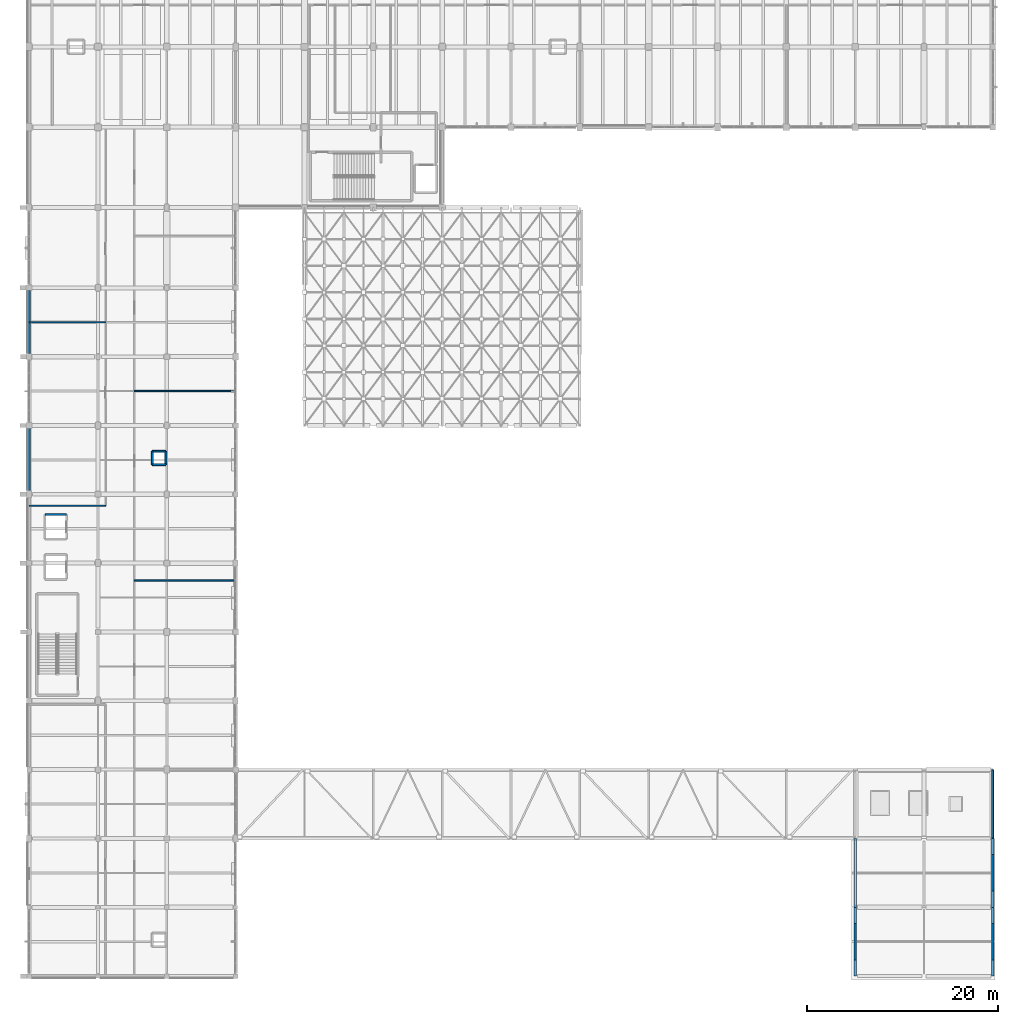
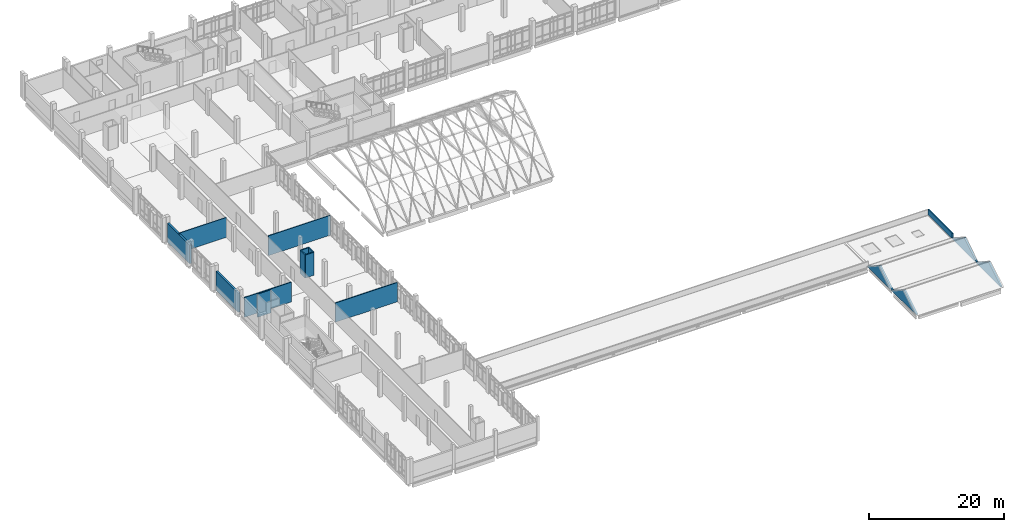
# One storey, part 74 of 87: 16 walls.
"""IFC4 building model written with IfcOpenShell, lengths in metres."""

from ifc_helpers import new_model, si_unit, direction, frame, frame_2d, origin, place, context, subcontext, project, spatial, polyline, rectangle, outline, extrude, material, layer, layer_set, type_object, element, save


model = new_model("IFC4")

# Units and contexts
model_context = context("Model", 3, precision=1e-05, world=origin(), true_north=direction((0.0, 1.0)))
body_context = subcontext(model_context, "Body", "Model", "MODEL_VIEW")
ifc_project = project(units=[si_unit("LENGTHUNIT", "METRE"), si_unit("AREAUNIT", "SQUARE_METRE"), si_unit("VOLUMEUNIT", "CUBIC_METRE"), si_unit("PLANEANGLEUNIT", "RADIAN"), si_unit("MASSUNIT", "GRAM", prefix="KILO")], contexts=[model_context])

# Site, building, storey
site_placement = place(None, origin())
site = spatial("IfcSite", under=ifc_project, at=site_placement, CompositionType="ELEMENT")
building_placement = place(site_placement, origin())
building = spatial("IfcBuilding", under=site, at=building_placement, Name="Kalluvel Institute of Natural Sciences", CompositionType="ELEMENT")
storey_placement = place(building_placement, frame((0.0, 0.0, 18.89990234375)))
storey = spatial("IfcBuildingStorey", under=building, at=storey_placement, Name="L04", CompositionType="ELEMENT", Elevation=18.89990234375)

# Walls
ifc_material_1 = material(Name="Sadarahalli Grey Granite Ashlar Concrete M40", Category="masonry")
ifc_layer_1 = layer(ifc_material_1, 0.300048828125)
ifc_layer_set_1 = layer_set([ifc_layer_1], Name="Sadarahalli Grey Granite Ashlar Concrete M40")
wall_type_1 = type_object("IfcWallType", Name="WL-EXT-300", PredefinedType="SOLIDWALL", material=ifc_layer_set_1)
wall_1_placement = place(storey_placement, frame((14.0, 64.7548828125, 0.0), z_axis=(0.0, 0.0, 1.0), x_axis=(0.0, 1.0, 0.0)))
element("IfcWall", 1, at=wall_1_placement, inside=storey, type_object=wall_type_1, Name="L04 Sadarahalli granite exterior wall WL-EXT-L04-0185", PredefinedType="SOLIDWALL", context=body_context, shape_type="SweptSolid", body=[
    extrude(rectangle(XDim=6.565185546875, YDim=0.300048828125, at=frame_2d((3.28271484375, 0.0))), origin(), (0.0, 0.0, 1.0), 3.425048828125),
])
wall_2_placement = place(storey_placement, frame((14.0, 79.1298828125, 0.0), z_axis=(0.0, 0.0, 1.0), x_axis=(0.0, 1.0, 0.0)))
element("IfcWall", 2, at=wall_2_placement, inside=storey, type_object=wall_type_1, Name="L04 Sadarahalli granite exterior wall WL-EXT-L04-0186", PredefinedType="SOLIDWALL", context=body_context, shape_type="SweptSolid", body=[
    extrude(rectangle(XDim=6.590087890625, YDim=0.300048828125, at=frame_2d((3.294921875, 0.0))), origin(), (0.0, 0.0, 1.0), 3.375),
])
ifc_layer_2 = layer(ifc_material_1, 0.280029296875)
ifc_layer_set_2 = layer_set([ifc_layer_2], Name="Sadarahalli Grey Granite Ashlar Concrete M40")
wall_type_2 = type_object("IfcWallType", Name="WL-GABLE-280", PredefinedType="SOLIDWALL", material=ifc_layer_set_2)
for number, where, z_axis, x_axis, name in (
    (3, (100.39990234375, 14.0, 0.0), (0.0, 0.0, 1.0), (0.0, 1.0, 0.0), "L04 East Commons West Gothic gable wall"),
    (4, (100.39990234375, 21.199951171875, 0.0), (0.0, 0.0, 1.0), (0.0, 1.0, 0.0), "L04 East Commons West Gothic gable wall"),
    (5, (114.800048828125, 14.0, 0.0), (0.0, 0.0, 1.0), (0.0, 1.0, 0.0), "L04 East Commons East Gothic gable wall"),
    (6, (114.800048828125, 21.199951171875, 0.0), (0.0, 0.0, 1.0), (0.0, 1.0, 0.0), "L04 East Commons East Gothic gable wall"),
):
    element("IfcWall", number, at=place(storey_placement, frame(where, z_axis=z_axis, x_axis=x_axis)), inside=storey, type_object=wall_type_2, Name=name, PredefinedType="SOLIDWALL", context=body_context, shape_type="SweptSolid", body=[
        extrude(outline(polyline([(0.0, 0.0), (7.199951171875, 0.0), (7.199951171875, 0.150146484375), (3.60009765625, 2.380126953125), (0.0, 0.150146484375), (0.0, 0.0)])), frame((0.0, 0.14013671875, 0.0), z_axis=(0.0, -1.0, 0.0), x_axis=(1.0, 0.0, 0.0)), (0.0, 0.0, 1.0), 0.280029296875),
    ])
ifc_layer_3 = layer(ifc_material_1, 0.199951171875)
ifc_layer_set_3 = layer_set([ifc_layer_3], Name="Sadarahalli Grey Granite Ashlar Concrete M40")
wall_type_3 = type_object("IfcWallType", Name="WL-PAR-200", PredefinedType="PARAPET", material=ifc_layer_set_3)
wall_3_placement = place(storey_placement, frame((114.800048828125, 35.60009765625, 0.0), z_axis=(0.0, 0.0, 1.0), x_axis=(0.0, -1.0, 0.0)))
element("IfcWall", 7, at=wall_3_placement, inside=storey, type_object=wall_type_3, Name="L04 maintenance roof stone parapet 23", PredefinedType="PARAPET", context=body_context, shape_type="SweptSolid", body=[
    extrude(rectangle(XDim=7.2001953125, YDim=0.199951171875, at=frame_2d((3.60009765625, 0.0))), origin(), (0.0, 0.0, 1.0), 0.9501953125),
])
ifc_material_2 = material(Name="Acoustic Gypsum Twin-Stud Partition", Category="gypsum")
ifc_layer_4 = layer(ifc_material_2, 0.1201171875)
ifc_layer_set_4 = layer_set([ifc_layer_4], Name="Acoustic Gypsum Twin-Stud Partition")
wall_type_4 = type_object("IfcWallType", Name="WL-PART-120", PredefinedType="PARTITIONING", material=ifc_layer_set_4)
wall_4_placement = place(storey_placement, frame((25.0, 75.199951171875, 0.0), z_axis=(0.0, 0.0, 1.0), x_axis=(1.0, 0.0, 0.0)))
element("IfcWall", 8, at=wall_4_placement, inside=storey, type_object=wall_type_4, Name="L04 interior partition wall WL-INT-L04-0233", PredefinedType="PARTITIONING", context=body_context, shape_type="SweptSolid", body=[
    extrude(rectangle(XDim=10.60009765625, YDim=0.1201171875, at=frame_2d((5.300048828125, 0.0))), origin(), (0.0, 0.0, 1.0), 3.580078125),
])
wall_5_placement = place(storey_placement, frame((14.0, 82.39990234375, 0.0), z_axis=(0.0, 0.0, 1.0), x_axis=(1.0, 0.0, 0.0)))
element("IfcWall", 9, at=wall_5_placement, inside=storey, type_object=wall_type_4, Name="L04 interior partition wall WL-INT-L04-0239", PredefinedType="PARTITIONING", context=body_context, shape_type="SweptSolid", body=[
    extrude(rectangle(XDim=8.0, YDim=0.1201171875, at=frame_2d((4.0, 0.0))), origin(), (0.0, 0.0, 1.0), 3.580078125),
])
ifc_layer_5 = layer(ifc_material_2, 0.139892578125)
ifc_layer_set_5 = layer_set([ifc_layer_5], Name="Acoustic Gypsum Twin-Stud Partition")
wall_type_5 = type_object("IfcWallType", Name="WL-PART-140", PredefinedType="PARTITIONING", material=ifc_layer_set_5)
wall_6_placement = place(storey_placement, frame((25.0, 55.39990234375, 0.0), z_axis=(0.0, 0.0, 1.0), x_axis=(1.0, 0.0, 0.0)))
element("IfcWall", 10, at=wall_6_placement, inside=storey, type_object=wall_type_5, Name="L04 interior partition wall WL-INT-L04-0232", PredefinedType="PARTITIONING", context=body_context, shape_type="SweptSolid", body=[
    extrude(rectangle(XDim=10.60009765625, YDim=0.139892578125, at=frame_2d((5.300048828125, 0.0))), origin(), (0.0, 0.0, 1.0), 3.47998046875),
])
wall_7_placement = place(storey_placement, frame((14.0, 63.199951171875, 0.0), z_axis=(0.0, 0.0, 1.0), x_axis=(1.0, 0.0, 0.0)))
element("IfcWall", 11, at=wall_7_placement, inside=storey, type_object=wall_type_5, Name="L04 interior partition wall WL-INT-L04-0238", PredefinedType="PARTITIONING", context=body_context, shape_type="SweptSolid", body=[
    extrude(rectangle(XDim=8.0, YDim=0.139892578125, at=frame_2d((4.0, 0.0))), origin(), (0.0, 0.0, 1.0), 3.580078125),
])
ifc_material_3 = material(Name="Concrete M40", Category="concrete")
ifc_layer_6 = layer(ifc_material_3, 0.199951171875)
ifc_layer_set_6 = layer_set([ifc_layer_6], Name="Concrete M40")
wall_type_6 = type_object("IfcWallType", Name="WL-RISER-200", PredefinedType="SHEAR", material=ifc_layer_set_6)
wall_8_placement = place(storey_placement, frame((26.89990234375, 67.5, 0.0), z_axis=(0.0, 0.0, 1.0), x_axis=(1.0, 0.0, 0.0)))
element("IfcWall", 12, at=wall_8_placement, inside=storey, type_object=wall_type_6, Name="RS-DRY-N L04 service riser enclosure S", PredefinedType="SHEAR", context=body_context, shape_type="SweptSolid", body=[
    extrude(rectangle(XDim=1.400146484375, YDim=0.199951171875, at=frame_2d((0.7001953125, 0.0))), origin(), (0.0, 0.0, 1.0), 4.16015625),
])
wall_9_placement = place(storey_placement, frame((28.300048828125, 67.5, 0.0), z_axis=(0.0, 0.0, 1.0), x_axis=(0.0, 1.0, 0.0)))
element("IfcWall", 13, at=wall_9_placement, inside=storey, type_object=wall_type_6, Name="RS-DRY-N L04 service riser enclosure E", PredefinedType="SHEAR", context=body_context, shape_type="SweptSolid", body=[
    extrude(rectangle(XDim=1.39990234375, YDim=0.199951171875, at=frame_2d((0.699951171875, 0.0))), origin(), (0.0, 0.0, 1.0), 4.16015625),
])
wall_10_placement = place(storey_placement, frame((28.300048828125, 68.89990234375, 0.0), z_axis=(0.0, 0.0, 1.0), x_axis=(-1.0, 0.0, 0.0)))
element("IfcWall", 14, at=wall_10_placement, inside=storey, type_object=wall_type_6, Name="RS-DRY-N L04 service riser enclosure N", PredefinedType="SHEAR", context=body_context, shape_type="SweptSolid", body=[
    extrude(rectangle(XDim=1.400146484375, YDim=0.199951171875, at=frame_2d((0.7001953125, 0.0))), origin(), (0.0, 0.0, 1.0), 4.16015625),
])
wall_11_placement = place(storey_placement, frame((26.89990234375, 68.89990234375, 0.0), z_axis=(0.0, 0.0, 1.0), x_axis=(0.0, -1.0, 0.0)))
element("IfcWall", 15, at=wall_11_placement, inside=storey, type_object=wall_type_6, Name="RS-DRY-N L04 service riser enclosure W", PredefinedType="SHEAR", context=body_context, shape_type="SweptSolid", body=[
    extrude(rectangle(XDim=1.39990234375, YDim=0.199951171875, at=frame_2d((0.699951171875, 0.0))), origin(), (0.0, 0.0, 1.0), 4.16015625),
])
ifc_layer_7 = layer(ifc_material_3, 0.219970703125)
ifc_layer_set_7 = layer_set([ifc_layer_7], Name="Concrete M40")
wall_type_7 = type_object("IfcWallType", Name="WL-SHAFT-220", PredefinedType="SHEAR", material=ifc_layer_set_7)
wall_12_placement = place(storey_placement, frame((17.929931640625, 62.280029296875, 0.0), z_axis=(0.0, 0.0, 1.0), x_axis=(-1.0, 0.0, 0.0)))
element("IfcWall", 16, at=wall_12_placement, inside=storey, type_object=wall_type_7, Name="LF7 L04 lift shaft wall", PredefinedType="SHEAR", context=body_context, shape_type="SweptSolid", body=[
    extrude(rectangle(XDim=2.260009765625, YDim=0.219970703125, at=frame_2d((1.1298828125, 0.0))), origin(), (0.0, 0.0, 1.0), 4.195068359375),
])

save(model, "model.ifc")
